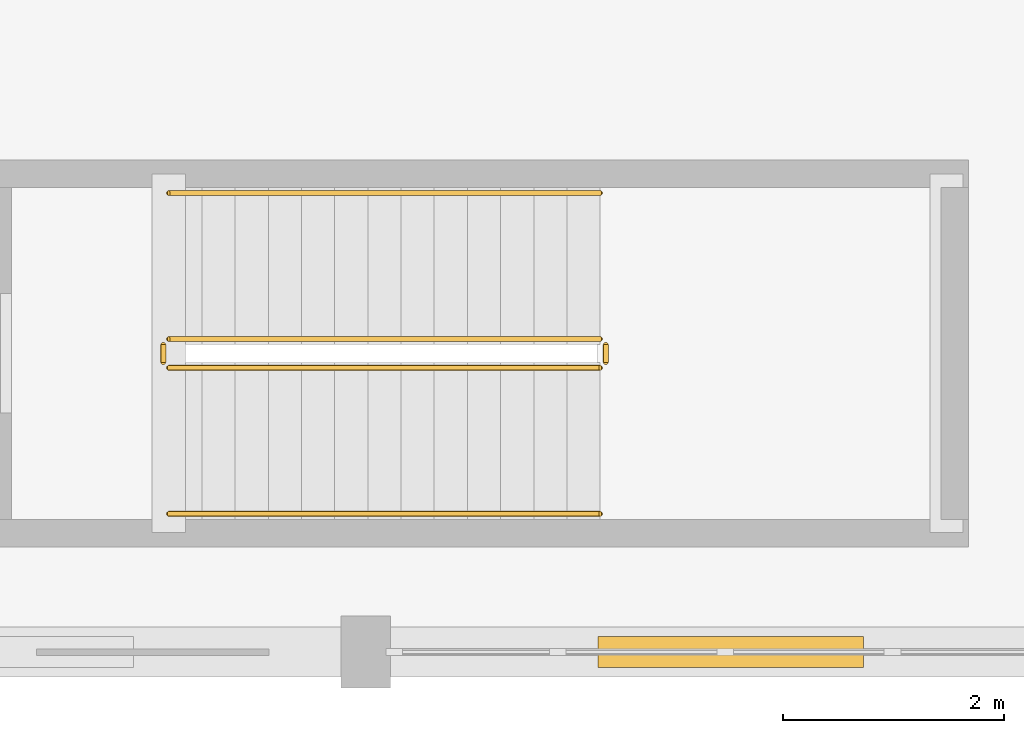
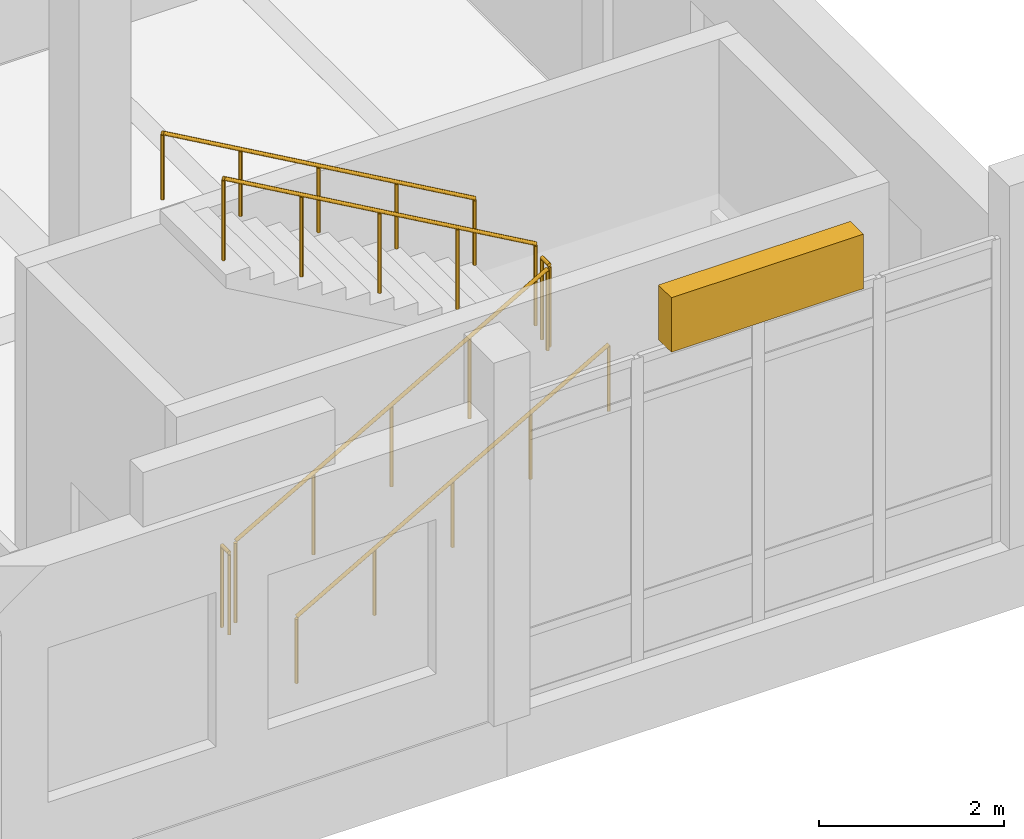
# One storey, part 91 of 101: 6 railings, 1 shading device.
"""IFC4 building model written with IfcOpenShell, lengths in metres."""

from ifc_helpers import new_model, si_unit, direction, frame, origin, origin_2d, place, context, subcontext, project, spatial, rectangle, circle, extrude, material, layer, layer_set, type_object, element, save


model = new_model("IFC4")

# Units and contexts
model_context = context("Model", 3, precision=1e-05, world=origin(), true_north=direction((0.0, 1.0)))
body_context = subcontext(model_context, "Body", "Model", "MODEL_VIEW")
ifc_project = project(units=[si_unit("LENGTHUNIT", "METRE"), si_unit("AREAUNIT", "SQUARE_METRE"), si_unit("VOLUMEUNIT", "CUBIC_METRE"), si_unit("PLANEANGLEUNIT", "RADIAN"), si_unit("MASSUNIT", "GRAM", prefix="KILO")], contexts=[model_context])

# Site, building, storey
site_placement = place(None, origin())
site = spatial("IfcSite", under=ifc_project, at=site_placement, CompositionType="ELEMENT")
building_placement = place(site_placement, origin())
building = spatial("IfcBuilding", under=site, at=building_placement, Name="Dornvale Research Institute", CompositionType="ELEMENT")
storey_placement = place(building_placement, frame((0.0, 0.0, 10.199951171875)))
storey = spatial("IfcBuildingStorey", under=building, at=storey_placement, Name="L02", CompositionType="ELEMENT", Elevation=10.199951171875)

# Railings
ifc_material_1 = material(Name="Galvanized Painted Tubular Steel Stair Rail", Category="steel")
ifc_layer_1 = layer(ifc_material_1, 0.050048828125)
ifc_layer_set_1 = layer_set([ifc_layer_1], Name="Galvanized Painted Tubular Steel Stair Rail")
railing_type_1 = type_object("IfcRailingType", Name="Railing_Stair_Guard_1100", PredefinedType="GUARDRAIL", material=ifc_layer_set_1)
railing_1_placement = place(storey_placement, frame((169.820068359375, 2.570068359375, 0.17138671875)))
element("IfcRailing", 1, at=railing_1_placement, inside=storey, type_object=railing_type_1, Name="L02 ST-6 stair guard 1", PredefinedType="GUARDRAIL", context=body_context, shape_type="SweptSolid", body=[
    extrude(circle(Radius=0.02392578125, at=origin_2d()), frame((0.0, 0.0, 1.076171875), z_axis=(0.868219727965, 0.0, 0.496179910892), x_axis=(0.0, 1.0, 0.0)), (0.0, 0.0, 1.0), 4.491943359375),
    extrude(circle(Radius=0.02099609375, at=origin_2d()), origin(), (0.0, 0.0, 1.0), 1.052001953125),
    extrude(circle(Radius=0.02099609375, at=origin_2d()), frame((0.97509765625, 0.0, 0.55712890625)), (0.0, 0.0, 1.0), 1.052001953125),
    extrude(circle(Radius=0.02099609375, at=origin_2d()), frame((1.949951171875, 0.0, 1.1142578125)), (0.0, 0.0, 1.0), 1.052001953125),
    extrude(circle(Radius=0.02099609375, at=origin_2d()), frame((2.9248046875, 0.0, 1.671630859375)), (0.0, 0.0, 1.0), 1.052001953125),
    extrude(circle(Radius=0.02099609375, at=origin_2d()), frame((3.89990234375, 0.0, 2.228759765625)), (0.0, 0.0, 1.0), 1.052001953125),
])
railing_2_placement = place(storey_placement, frame((173.77001953125, 2.6201171875, 2.400146484375)))
element("IfcRailing", 2, at=railing_2_placement, inside=storey, type_object=railing_type_1, Name="L02 ST-6 stair guard 2", PredefinedType="GUARDRAIL", context=body_context, shape_type="SweptSolid", body=[
    extrude(circle(Radius=0.02392578125, at=origin_2d()), frame((0.0, 0.0, 1.076171875), z_axis=(0.0, 1.0, 0.0), x_axis=(-1.0, 0.0, 0.0)), (0.0, 0.0, 1.0), 0.159912109375),
    extrude(circle(Radius=0.02099609375, at=origin_2d()), origin(), (0.0, 0.0, 1.0), 1.052001953125),
    extrude(circle(Radius=0.02099609375, at=origin_2d()), frame((0.0, 0.159912109375, 0.0)), (0.0, 0.0, 1.0), 1.052001953125),
])
railing_3_placement = place(storey_placement, frame((173.719970703125, 2.830078125, 2.571533203125)))
element("IfcRailing", 3, at=railing_3_placement, inside=storey, type_object=railing_type_1, Name="L02 ST-6 stair guard 3", PredefinedType="GUARDRAIL", context=body_context, shape_type="SweptSolid", body=[
    extrude(circle(Radius=0.02392578125, at=origin_2d()), frame((0.0, 0.0, 1.076171875), z_axis=(-0.868243142124, 0.0, 0.496138938357), x_axis=(0.0, -1.0, 0.0)), (0.0, 0.0, 1.0), 4.49169921875),
    extrude(circle(Radius=0.02099609375, at=origin_2d()), origin(), (0.0, 0.0, 1.0), 1.052001953125),
    extrude(circle(Radius=0.02099609375, at=origin_2d()), frame((-0.97509765625, 0.0, 0.55712890625)), (0.0, 0.0, 1.0), 1.052001953125),
    extrude(circle(Radius=0.02099609375, at=origin_2d()), frame((-1.949951171875, 0.0, 1.1142578125)), (0.0, 0.0, 1.0), 1.052001953125),
    extrude(circle(Radius=0.02099609375, at=origin_2d()), frame((-2.9248046875, 0.0, 1.67138671875)), (0.0, 0.0, 1.0), 1.052001953125),
    extrude(circle(Radius=0.02099609375, at=origin_2d()), frame((-3.89990234375, 0.0, 2.228515625)), (0.0, 0.0, 1.0), 1.052001953125),
])
railing_4_placement = place(storey_placement, frame((169.77001953125, 2.6201171875, 0.0)))
element("IfcRailing", 4, at=railing_4_placement, inside=storey, type_object=railing_type_1, Name="L02 ST-6 stair guard 4", PredefinedType="GUARDRAIL", context=body_context, shape_type="SweptSolid", body=[
    extrude(circle(Radius=0.02392578125, at=origin_2d()), frame((0.0, 0.0, 1.076171875), z_axis=(0.0, 1.0, 0.0), x_axis=(-1.0, 0.0, 0.0)), (0.0, 0.0, 1.0), 0.159912109375),
    extrude(circle(Radius=0.02099609375, at=origin_2d()), origin(), (0.0, 0.0, 1.0), 1.052001953125),
    extrude(circle(Radius=0.02099609375, at=origin_2d()), frame((0.0, 0.159912109375, 0.0)), (0.0, 0.0, 1.0), 1.052001953125),
])
ifc_material_2 = material(Name="Galvanized Painted Tubular Steel Stair Rail", Category="steel")
ifc_layer_2 = layer(ifc_material_2, 0.044921875)
ifc_layer_set_2 = layer_set([ifc_layer_2], Name="Galvanized Painted Tubular Steel Stair Rail")
railing_type_2 = type_object("IfcRailingType", Name="Railing_Stair_Handrail_900", PredefinedType="HANDRAIL", material=ifc_layer_set_2)
railing_5_placement = place(storey_placement, frame((169.820068359375, 1.25, 0.17138671875)))
element("IfcRailing", 5, at=railing_5_placement, inside=storey, type_object=railing_type_2, Name="L02 ST-6 stair handrail 1", PredefinedType="HANDRAIL", context=body_context, shape_type="SweptSolid", body=[
    extrude(circle(Radius=0.02392578125, at=origin_2d()), frame((0.0, 0.0, 0.8759765625), z_axis=(0.868219727965, 0.0, 0.496179910892), x_axis=(0.0, 1.0, 0.0)), (0.0, 0.0, 1.0), 4.491943359375),
    extrude(circle(Radius=0.02099609375, at=origin_2d()), origin(), (0.0, 0.0, 1.0), 0.851806640625),
    extrude(circle(Radius=0.02099609375, at=origin_2d()), frame((0.97509765625, 0.0, 0.55712890625)), (0.0, 0.0, 1.0), 0.851806640625),
    extrude(circle(Radius=0.02099609375, at=origin_2d()), frame((1.949951171875, 0.0, 1.1142578125)), (0.0, 0.0, 1.0), 0.851806640625),
    extrude(circle(Radius=0.02099609375, at=origin_2d()), frame((2.9248046875, 0.0, 1.671630859375)), (0.0, 0.0, 1.0), 0.851806640625),
    extrude(circle(Radius=0.02099609375, at=origin_2d()), frame((3.89990234375, 0.0, 2.228759765625)), (0.0, 0.0, 1.0), 0.851806640625),
])
railing_6_placement = place(storey_placement, frame((173.719970703125, 4.14990234375, 2.571533203125)))
element("IfcRailing", 6, at=railing_6_placement, inside=storey, type_object=railing_type_2, Name="L02 ST-6 stair handrail 2", PredefinedType="HANDRAIL", context=body_context, shape_type="SweptSolid", body=[
    extrude(circle(Radius=0.02392578125, at=origin_2d()), frame((0.0, 0.0, 0.8759765625), z_axis=(-0.868243142124, 0.0, 0.496138938357), x_axis=(0.0, -1.0, 0.0)), (0.0, 0.0, 1.0), 4.49169921875),
    extrude(circle(Radius=0.02099609375, at=origin_2d()), origin(), (0.0, 0.0, 1.0), 0.851806640625),
    extrude(circle(Radius=0.02099609375, at=origin_2d()), frame((-0.97509765625, 0.0, 0.55712890625)), (0.0, 0.0, 1.0), 0.851806640625),
    extrude(circle(Radius=0.02099609375, at=origin_2d()), frame((-1.949951171875, 0.0, 1.1142578125)), (0.0, 0.0, 1.0), 0.851806640625),
    extrude(circle(Radius=0.02099609375, at=origin_2d()), frame((-2.9248046875, 0.0, 1.67138671875)), (0.0, 0.0, 1.0), 0.851806640625),
    extrude(circle(Radius=0.02099609375, at=origin_2d()), frame((-3.89990234375, 0.0, 2.228515625)), (0.0, 0.0, 1.0), 0.851806640625),
])

# Shading device
ifc_material_3 = material(Name="Extruded Aluminum Acoustic Intake Louvre", Category="aluminium")
ifc_layer_3 = layer(ifc_material_3, 0.139892578125)
ifc_layer_set_3 = layer_set([ifc_layer_3], Name="Extruded Aluminum Acoustic Intake Louvre")
shading_device_type = type_object("IfcShadingDeviceType", Name="Shading_Acoustic_Louvre", PredefinedType="USERDEFINED", material=ifc_layer_set_3)
shading_device_placement = place(storey_placement, frame((174.89990234375, 0.0, 4.02001953125), z_axis=(0.0, 0.0, 1.0), x_axis=(1.0, 0.0, 0.0)))
element("IfcShadingDevice", 7, at=shading_device_placement, inside=storey, type_object=shading_device_type, Name="L02 V3 extruded aluminum acoustic louvre #37", ObjectType="LOUVRE", PredefinedType="USERDEFINED", context=body_context, shape_type="SweptSolid", body=[
    extrude(rectangle(XDim=2.39990234375, YDim=0.280029296875, at=origin_2d()), origin(), (0.0, 0.0, 1.0), 0.719970703125),
])

save(model, "model.ifc")
